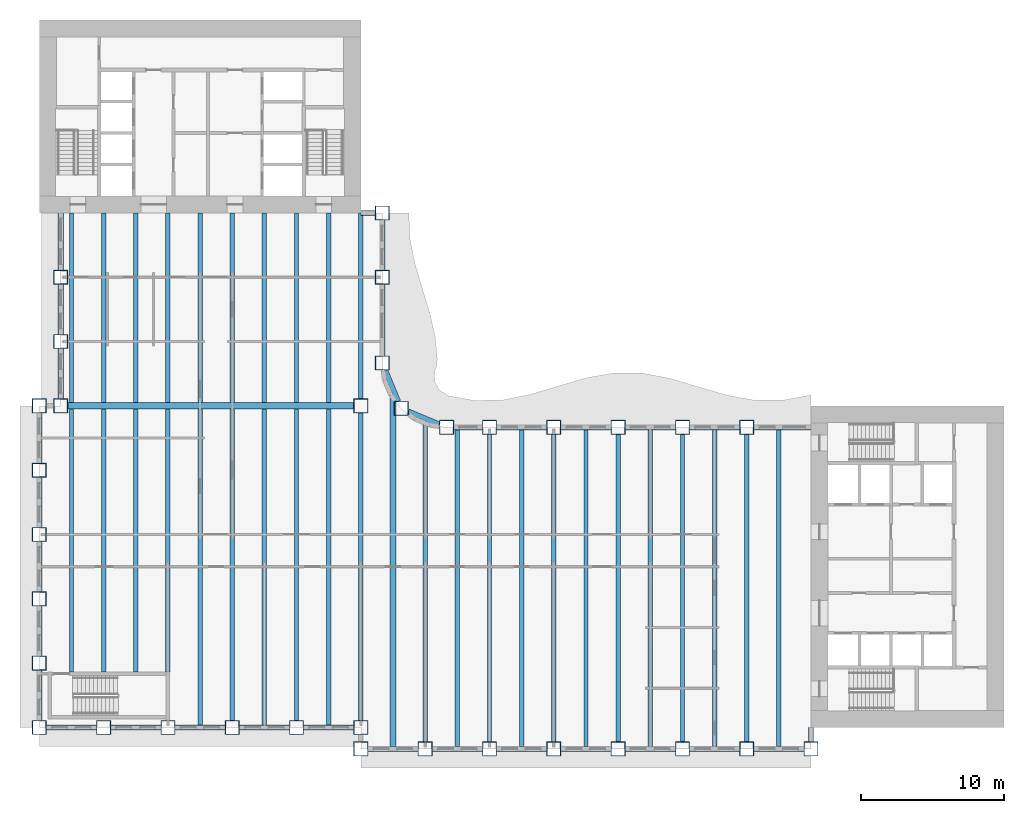
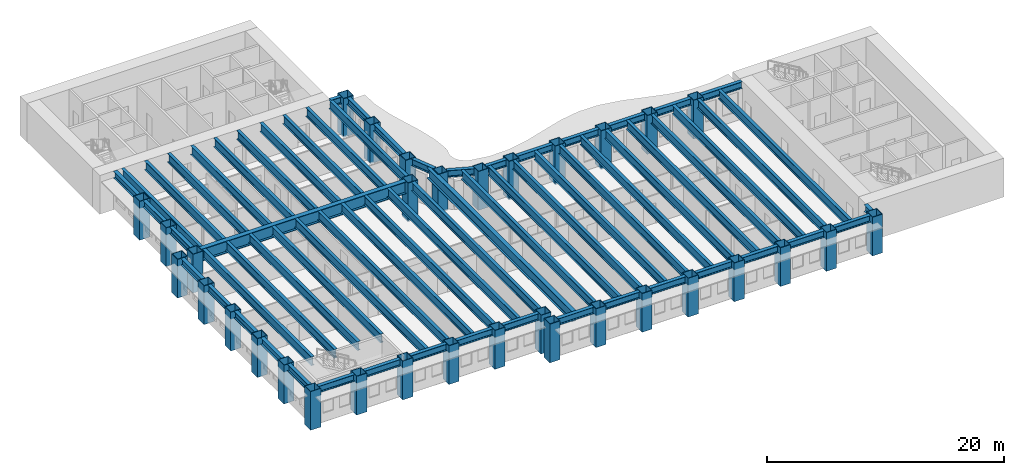
# One storey, part 1 of 16: 66 beams, 33 columns.
"""IFC4 building model written with IfcOpenShell, lengths in metres."""

from ifc_helpers import new_model, si_unit, direction, frame, origin, origin_2d, place, context, subcontext, project, spatial, hollow_rectangle, i_section, extrude, material, material_profile, profile_set, type_object, element, save


model = new_model("IFC4")

# Units and contexts
model_context = context("Model", 3, precision=1e-05, world=origin(), true_north=direction((0.0, 1.0)))
body_context = subcontext(model_context, "Body", "Model", "MODEL_VIEW")
ifc_project = project(units=[si_unit("LENGTHUNIT", "METRE"), si_unit("AREAUNIT", "SQUARE_METRE"), si_unit("VOLUMEUNIT", "CUBIC_METRE"), si_unit("PLANEANGLEUNIT", "RADIAN"), si_unit("MASSUNIT", "GRAM", prefix="KILO")], contexts=[model_context])

# Site, building, storey
site_placement = place(None, origin())
site = spatial("IfcSite", under=ifc_project, at=site_placement, CompositionType="ELEMENT")
building_placement = place(site_placement, origin())
building = spatial("IfcBuilding", under=site, at=building_placement, Name="Sennacour Bend Tower", CompositionType="ELEMENT")
storey_placement = place(building_placement, frame((0.0, 0.0, 83.0)))
storey = spatial("IfcBuildingStorey", under=building, at=storey_placement, Name="L18", CompositionType="ELEMENT", Elevation=83.0)

# Columns
ifc_material_1 = material(Name="Steel ASTM A572 Grade 50", Category="steel")
ifc_material_profile_1 = material_profile(ifc_material_1, hollow_rectangle(XDim=1.0, YDim=1.0, WallThickness=0.050048828125, at=origin_2d()), Name="Steel ASTM A572 Grade 50", Category="steel")
ifc_profile_set_1 = profile_set([ifc_material_profile_1], Name="Steel ASTM A572 Grade 50")
column_type = type_object("IfcColumnType", Name="Box column 1000", PredefinedType="COLUMN", material=ifc_profile_set_1)
for number, where, z_axis, x_axis, name in (
    (1, (0.0, 0.0, -0.14990234375), (0.0, 0.0, 1.0), (1.0, 0.0, 0.0), "Perimeter column C2 L18-001"),
    (2, (0.0, 4.5, -0.14990234375), (0.0, 0.0, 1.0), (1.0, 0.0, 0.0), "Perimeter column C2 L18-002"),
    (3, (0.0, 9.0, -0.14990234375), (0.0, 0.0, 1.0), (1.0, 0.0, 0.0), "Perimeter column C2 L18-003"),
    (4, (0.0, 13.5, -0.14990234375), (0.0, 0.0, 1.0), (1.0, 0.0, 0.0), "Perimeter column C2 L18-004"),
    (5, (0.0, 18.0, -0.14990234375), (0.0, 0.0, 1.0), (1.0, 0.0, 0.0), "Perimeter column C2 L18-005"),
    (6, (0.0, 22.5, -0.14990234375), (0.0, 0.0, 1.0), (1.0, 0.0, 0.0), "Perimeter column C2 L18-006"),
    (7, (1.5, 22.5, -0.14990234375), (0.0, 0.0, 1.0), (1.0, 0.0, 0.0), "Perimeter column C2 L18-007"),
    (8, (1.5, 27.0, -0.14990234375), (0.0, 0.0, 1.0), (1.0, 0.0, 0.0), "Perimeter column C2 L18-008"),
    (9, (1.5, 31.5, -0.14990234375), (0.0, 0.0, 1.0), (1.0, 0.0, 0.0), "Perimeter column C2 L18-009"),
    (10, (4.5, 0.0, -0.14990234375), (0.0, 0.0, 1.0), (1.0, 0.0, 0.0), "Perimeter column C2 L18-010"),
    (11, (9.0, 0.0, -0.14990234375), (0.0, 0.0, 1.0), (1.0, 0.0, 0.0), "Perimeter column C2 L18-011"),
    (12, (13.5, 0.0, -0.14990234375), (0.0, 0.0, 1.0), (1.0, 0.0, 0.0), "Perimeter column C2 L18-012"),
    (13, (18.0, 0.0, -0.14990234375), (0.0, 0.0, 1.0), (1.0, 0.0, 0.0), "Perimeter column C2 L18-013"),
    (14, (22.5, -1.5, -0.14990234375), (0.0, 0.0, 1.0), (1.0, 0.0, 0.0), "Perimeter column C2 L18-014"),
    (15, (22.5, 0.0, -0.14990234375), (0.0, 0.0, 1.0), (1.0, 0.0, 0.0), "Perimeter column C2 L18-015"),
    (16, (22.5, 22.5, -0.14990234375), (0.0, 0.0, 1.0), (1.0, 0.0, 0.0), "Knuckle column C2 L18-016"),
    (17, (24.0, 25.5, -0.14990234375), (0.0, 0.0, 1.0), (1.0, 0.0, 0.0), "Perimeter column C2 L18-017"),
    (18, (24.0, 31.5, -0.14990234375), (0.0, 0.0, 1.0), (1.0, 0.0, 0.0), "Perimeter column C2 L18-018"),
    (19, (24.0, 36.0, -0.14990234375), (0.0, 0.0, 1.0), (1.0, 0.0, 0.0), "Perimeter column C2 L18-019"),
    (20, (25.318115234375, 22.318115234375, -0.14990234375), (0.0, 0.0, 1.0), (1.0, 0.0, 0.0), "Perimeter column C2 L18-020"),
    (21, (27.0, -1.5, -0.14990234375), (0.0, 0.0, 1.0), (1.0, 0.0, 0.0), "Perimeter column C2 L18-021"),
    (22, (28.5, 21.0, -0.14990234375), (0.0, 0.0, 1.0), (1.0, 0.0, 0.0), "Perimeter column C2 L18-022"),
    (23, (31.5, -1.5, -0.14990234375), (0.0, 0.0, 1.0), (1.0, 0.0, 0.0), "Perimeter column C2 L18-023"),
    (24, (31.5, 21.0, -0.14990234375), (0.0, 0.0, 1.0), (1.0, 0.0, 0.0), "Perimeter column C2 L18-024"),
    (25, (36.0, -1.5, -0.14990234375), (0.0, 0.0, 1.0), (1.0, 0.0, 0.0), "Perimeter column C2 L18-025"),
    (26, (36.0, 21.0, -0.14990234375), (0.0, 0.0, 1.0), (1.0, 0.0, 0.0), "Perimeter column C2 L18-026"),
    (27, (40.5, -1.5, -0.14990234375), (0.0, 0.0, 1.0), (1.0, 0.0, 0.0), "Perimeter column C2 L18-027"),
    (28, (40.5, 21.0, -0.14990234375), (0.0, 0.0, 1.0), (1.0, 0.0, 0.0), "Perimeter column C2 L18-028"),
    (29, (45.0, -1.5, -0.14990234375), (0.0, 0.0, 1.0), (1.0, 0.0, 0.0), "Perimeter column C2 L18-029"),
    (30, (45.0, 21.0, -0.14990234375), (0.0, 0.0, 1.0), (1.0, 0.0, 0.0), "Perimeter column C2 L18-030"),
    (31, (49.5, -1.5, -0.14990234375), (0.0, 0.0, 1.0), (1.0, 0.0, 0.0), "Perimeter column C2 L18-031"),
    (32, (49.5, 21.0, -0.14990234375), (0.0, 0.0, 1.0), (1.0, 0.0, 0.0), "Perimeter column C2 L18-032"),
    (33, (54.0, -1.5, -0.14990234375), (0.0, 0.0, 1.0), (1.0, 0.0, 0.0), "Perimeter column C2 L18-033"),
):
    element("IfcColumn", number, at=place(storey_placement, frame(where, z_axis=z_axis, x_axis=x_axis)), inside=storey, type_object=column_type, Name=name, PredefinedType="COLUMN", context=body_context, shape_type="SweptSolid", body=[
        extrude(hollow_rectangle(XDim=1.0, YDim=1.0, WallThickness=0.050048828125, at=origin_2d()), origin(), (0.0, 0.0, 1.0), 4.0),
    ])

# Beams
ifc_material_2 = material(Name="Steel ASTM A992 Grade 50", Category="steel")
ifc_material_profile_2 = material_profile(ifc_material_2, i_section(OverallWidth=0.304931640625, OverallDepth=0.912109375, WebThickness=0.015869140625, FlangeThickness=0.02392578125, FilletRadius=0.01904296875, at=origin_2d()), Name="Steel ASTM A992 Grade 50", Category="steel")
ifc_profile_set_2 = profile_set([ifc_material_profile_2], Name="Steel ASTM A992 Grade 50")
beam_type_1 = type_object("IfcBeamType", Name="Floor beam W920X223", PredefinedType="BEAM", material=ifc_profile_set_2)
beam_1_placement = place(storey_placement, frame((2.25, 3.875, 3.39404296875), z_axis=(0.0, 1.0, 0.0), x_axis=(-1.0, 0.0, 0.0)))
element("IfcBeam", 34, at=beam_1_placement, inside=storey, type_object=beam_type_1, Name="Floor beam FBM1 L19-001", PredefinedType="BEAM", context=body_context, shape_type="SweptSolid", body=[
    extrude(i_section(OverallWidth=0.304931640625, OverallDepth=0.912109375, WebThickness=0.015869140625, FlangeThickness=0.02392578125, FilletRadius=0.01904296875, at=origin_2d()), origin(), (0.0, 0.0, 1.0), 18.39990234375),
])
beam_2_placement = place(storey_placement, frame((2.25, 22.72509765625, 3.39404296875), z_axis=(0.0, 1.0, 0.0), x_axis=(-1.0, 0.0, 0.0)))
element("IfcBeam", 35, at=beam_2_placement, inside=storey, type_object=beam_type_1, Name="Floor beam FBM1 L19-002", PredefinedType="BEAM", context=body_context, shape_type="SweptSolid", body=[
    extrude(i_section(OverallWidth=0.304931640625, OverallDepth=0.912109375, WebThickness=0.015869140625, FlangeThickness=0.02392578125, FilletRadius=0.01904296875, at=origin_2d()), origin(), (0.0, 0.0, 1.0), 13.27490234375),
])
beam_3_placement = place(storey_placement, frame((4.5, 3.875, 3.39404296875), z_axis=(0.0, 1.0, 0.0), x_axis=(-1.0, 0.0, 0.0)))
element("IfcBeam", 36, at=beam_3_placement, inside=storey, type_object=beam_type_1, Name="Floor beam FBM1 L19-003", PredefinedType="BEAM", context=body_context, shape_type="SweptSolid", body=[
    extrude(i_section(OverallWidth=0.304931640625, OverallDepth=0.912109375, WebThickness=0.015869140625, FlangeThickness=0.02392578125, FilletRadius=0.01904296875, at=origin_2d()), origin(), (0.0, 0.0, 1.0), 18.39990234375),
])
beam_4_placement = place(storey_placement, frame((4.5, 22.72509765625, 3.39404296875), z_axis=(0.0, 1.0, 0.0), x_axis=(-1.0, 0.0, 0.0)))
element("IfcBeam", 37, at=beam_4_placement, inside=storey, type_object=beam_type_1, Name="Floor beam FBM1 L19-004", PredefinedType="BEAM", context=body_context, shape_type="SweptSolid", body=[
    extrude(i_section(OverallWidth=0.304931640625, OverallDepth=0.912109375, WebThickness=0.015869140625, FlangeThickness=0.02392578125, FilletRadius=0.01904296875, at=origin_2d()), origin(), (0.0, 0.0, 1.0), 13.27490234375),
])
beam_5_placement = place(storey_placement, frame((6.75, 3.875, 3.39404296875), z_axis=(0.0, 1.0, 0.0), x_axis=(-1.0, 0.0, 0.0)))
element("IfcBeam", 38, at=beam_5_placement, inside=storey, type_object=beam_type_1, Name="Floor beam FBM1 L19-005", PredefinedType="BEAM", context=body_context, shape_type="SweptSolid", body=[
    extrude(i_section(OverallWidth=0.304931640625, OverallDepth=0.912109375, WebThickness=0.015869140625, FlangeThickness=0.02392578125, FilletRadius=0.01904296875, at=origin_2d()), origin(), (0.0, 0.0, 1.0), 18.39990234375),
])
beam_6_placement = place(storey_placement, frame((6.75, 22.72509765625, 3.39404296875), z_axis=(0.0, 1.0, 0.0), x_axis=(-1.0, 0.0, 0.0)))
element("IfcBeam", 39, at=beam_6_placement, inside=storey, type_object=beam_type_1, Name="Floor beam FBM1 L19-006", PredefinedType="BEAM", context=body_context, shape_type="SweptSolid", body=[
    extrude(i_section(OverallWidth=0.304931640625, OverallDepth=0.912109375, WebThickness=0.015869140625, FlangeThickness=0.02392578125, FilletRadius=0.01904296875, at=origin_2d()), origin(), (0.0, 0.0, 1.0), 13.27490234375),
])
beam_7_placement = place(storey_placement, frame((9.0, 3.875, 3.39404296875), z_axis=(0.0, 1.0, 0.0), x_axis=(-1.0, 0.0, 0.0)))
element("IfcBeam", 40, at=beam_7_placement, inside=storey, type_object=beam_type_1, Name="Floor beam FBM1 L19-007", PredefinedType="BEAM", context=body_context, shape_type="SweptSolid", body=[
    extrude(i_section(OverallWidth=0.304931640625, OverallDepth=0.912109375, WebThickness=0.015869140625, FlangeThickness=0.02392578125, FilletRadius=0.01904296875, at=origin_2d()), origin(), (0.0, 0.0, 1.0), 18.39990234375),
])
beam_8_placement = place(storey_placement, frame((9.0, 22.72509765625, 3.39404296875), z_axis=(0.0, 1.0, 0.0), x_axis=(-1.0, 0.0, 0.0)))
element("IfcBeam", 41, at=beam_8_placement, inside=storey, type_object=beam_type_1, Name="Floor beam FBM1 L19-008", PredefinedType="BEAM", context=body_context, shape_type="SweptSolid", body=[
    extrude(i_section(OverallWidth=0.304931640625, OverallDepth=0.912109375, WebThickness=0.015869140625, FlangeThickness=0.02392578125, FilletRadius=0.01904296875, at=origin_2d()), origin(), (0.0, 0.0, 1.0), 13.27490234375),
])
beam_9_placement = place(storey_placement, frame((11.25, 0.177978515625, 3.39404296875), z_axis=(0.0, 1.0, 0.0), x_axis=(-1.0, 0.0, 0.0)))
element("IfcBeam", 42, at=beam_9_placement, inside=storey, type_object=beam_type_1, Name="Floor beam FBM1 L19-009", PredefinedType="BEAM", context=body_context, shape_type="SweptSolid", body=[
    extrude(i_section(OverallWidth=0.304931640625, OverallDepth=0.912109375, WebThickness=0.015869140625, FlangeThickness=0.02392578125, FilletRadius=0.01904296875, at=origin_2d()), origin(), (0.0, 0.0, 1.0), 22.096923828125),
])
beam_10_placement = place(storey_placement, frame((11.25, 22.72509765625, 3.39404296875), z_axis=(0.0, 1.0, 0.0), x_axis=(-1.0, 0.0, 0.0)))
element("IfcBeam", 43, at=beam_10_placement, inside=storey, type_object=beam_type_1, Name="Floor beam FBM1 L19-010", PredefinedType="BEAM", context=body_context, shape_type="SweptSolid", body=[
    extrude(i_section(OverallWidth=0.304931640625, OverallDepth=0.912109375, WebThickness=0.015869140625, FlangeThickness=0.02392578125, FilletRadius=0.01904296875, at=origin_2d()), origin(), (0.0, 0.0, 1.0), 13.27490234375),
])
beam_11_placement = place(storey_placement, frame((13.5, 0.5, 3.39404296875), z_axis=(0.0, 1.0, 0.0), x_axis=(-1.0, 0.0, 0.0)))
element("IfcBeam", 44, at=beam_11_placement, inside=storey, type_object=beam_type_1, Name="Floor beam FBM1 L19-011", PredefinedType="BEAM", context=body_context, shape_type="SweptSolid", body=[
    extrude(i_section(OverallWidth=0.304931640625, OverallDepth=0.912109375, WebThickness=0.015869140625, FlangeThickness=0.02392578125, FilletRadius=0.01904296875, at=origin_2d()), origin(), (0.0, 0.0, 1.0), 21.77490234375),
])
beam_12_placement = place(storey_placement, frame((13.5, 22.72509765625, 3.39404296875), z_axis=(0.0, 1.0, 0.0), x_axis=(-1.0, 0.0, 0.0)))
element("IfcBeam", 45, at=beam_12_placement, inside=storey, type_object=beam_type_1, Name="Floor beam FBM1 L19-012", PredefinedType="BEAM", context=body_context, shape_type="SweptSolid", body=[
    extrude(i_section(OverallWidth=0.304931640625, OverallDepth=0.912109375, WebThickness=0.015869140625, FlangeThickness=0.02392578125, FilletRadius=0.01904296875, at=origin_2d()), origin(), (0.0, 0.0, 1.0), 13.27490234375),
])
beam_13_placement = place(storey_placement, frame((15.75, 0.177978515625, 3.39404296875), z_axis=(0.0, 1.0, 0.0), x_axis=(-1.0, 0.0, 0.0)))
element("IfcBeam", 46, at=beam_13_placement, inside=storey, type_object=beam_type_1, Name="Floor beam FBM1 L19-013", PredefinedType="BEAM", context=body_context, shape_type="SweptSolid", body=[
    extrude(i_section(OverallWidth=0.304931640625, OverallDepth=0.912109375, WebThickness=0.015869140625, FlangeThickness=0.02392578125, FilletRadius=0.01904296875, at=origin_2d()), origin(), (0.0, 0.0, 1.0), 22.096923828125),
])
beam_14_placement = place(storey_placement, frame((15.75, 22.72509765625, 3.39404296875), z_axis=(0.0, 1.0, 0.0), x_axis=(-1.0, 0.0, 0.0)))
element("IfcBeam", 47, at=beam_14_placement, inside=storey, type_object=beam_type_1, Name="Floor beam FBM1 L19-014", PredefinedType="BEAM", context=body_context, shape_type="SweptSolid", body=[
    extrude(i_section(OverallWidth=0.304931640625, OverallDepth=0.912109375, WebThickness=0.015869140625, FlangeThickness=0.02392578125, FilletRadius=0.01904296875, at=origin_2d()), origin(), (0.0, 0.0, 1.0), 13.27490234375),
])
beam_15_placement = place(storey_placement, frame((18.0, 0.5, 3.39404296875), z_axis=(0.0, 1.0, 0.0), x_axis=(-1.0, 0.0, 0.0)))
element("IfcBeam", 48, at=beam_15_placement, inside=storey, type_object=beam_type_1, Name="Floor beam FBM1 L19-015", PredefinedType="BEAM", context=body_context, shape_type="SweptSolid", body=[
    extrude(i_section(OverallWidth=0.304931640625, OverallDepth=0.912109375, WebThickness=0.015869140625, FlangeThickness=0.02392578125, FilletRadius=0.01904296875, at=origin_2d()), origin(), (0.0, 0.0, 1.0), 21.77490234375),
])
beam_16_placement = place(storey_placement, frame((18.0, 22.72509765625, 3.39404296875), z_axis=(0.0, 1.0, 0.0), x_axis=(-1.0, 0.0, 0.0)))
element("IfcBeam", 49, at=beam_16_placement, inside=storey, type_object=beam_type_1, Name="Floor beam FBM1 L19-016", PredefinedType="BEAM", context=body_context, shape_type="SweptSolid", body=[
    extrude(i_section(OverallWidth=0.304931640625, OverallDepth=0.912109375, WebThickness=0.015869140625, FlangeThickness=0.02392578125, FilletRadius=0.01904296875, at=origin_2d()), origin(), (0.0, 0.0, 1.0), 13.27490234375),
])
beam_17_placement = place(storey_placement, frame((20.25, 0.177978515625, 3.39404296875), z_axis=(0.0, 1.0, 0.0), x_axis=(-1.0, 0.0, 0.0)))
element("IfcBeam", 50, at=beam_17_placement, inside=storey, type_object=beam_type_1, Name="Floor beam FBM1 L19-017", PredefinedType="BEAM", context=body_context, shape_type="SweptSolid", body=[
    extrude(i_section(OverallWidth=0.304931640625, OverallDepth=0.912109375, WebThickness=0.015869140625, FlangeThickness=0.02392578125, FilletRadius=0.01904296875, at=origin_2d()), origin(), (0.0, 0.0, 1.0), 22.096923828125),
])
beam_18_placement = place(storey_placement, frame((20.25, 22.72509765625, 3.39404296875), z_axis=(0.0, 1.0, 0.0), x_axis=(-1.0, 0.0, 0.0)))
element("IfcBeam", 51, at=beam_18_placement, inside=storey, type_object=beam_type_1, Name="Floor beam FBM1 L19-018", PredefinedType="BEAM", context=body_context, shape_type="SweptSolid", body=[
    extrude(i_section(OverallWidth=0.304931640625, OverallDepth=0.912109375, WebThickness=0.015869140625, FlangeThickness=0.02392578125, FilletRadius=0.01904296875, at=origin_2d()), origin(), (0.0, 0.0, 1.0), 13.27490234375),
])
beam_19_placement = place(storey_placement, frame((22.5, 0.5, 3.39404296875), z_axis=(0.0, 1.0, 0.0), x_axis=(-1.0, 0.0, 0.0)))
element("IfcBeam", 52, at=beam_19_placement, inside=storey, type_object=beam_type_1, Name="Floor beam FBM1 L19-019", PredefinedType="BEAM", context=body_context, shape_type="SweptSolid", body=[
    extrude(i_section(OverallWidth=0.304931640625, OverallDepth=0.912109375, WebThickness=0.015869140625, FlangeThickness=0.02392578125, FilletRadius=0.01904296875, at=origin_2d()), origin(), (0.0, 0.0, 1.0), 21.5),
])
beam_20_placement = place(storey_placement, frame((22.5, 23.0, 3.39404296875), z_axis=(0.0, 1.0, 0.0), x_axis=(-1.0, 0.0, 0.0)))
element("IfcBeam", 53, at=beam_20_placement, inside=storey, type_object=beam_type_1, Name="Floor beam FBM1 L19-020", PredefinedType="BEAM", context=body_context, shape_type="SweptSolid", body=[
    extrude(i_section(OverallWidth=0.304931640625, OverallDepth=0.912109375, WebThickness=0.015869140625, FlangeThickness=0.02392578125, FilletRadius=0.01904296875, at=origin_2d()), origin(), (0.0, 0.0, 1.0), 13.0),
])
beam_21_placement = place(storey_placement, frame((27.0, -1.0, 3.39404296875), z_axis=(0.0, 1.0, 0.0), x_axis=(-1.0, 0.0, 0.0)))
element("IfcBeam", 54, at=beam_21_placement, inside=storey, type_object=beam_type_1, Name="Floor beam FBM1 L19-022", PredefinedType="BEAM", context=body_context, shape_type="SweptSolid", body=[
    extrude(i_section(OverallWidth=0.304931640625, OverallDepth=0.912109375, WebThickness=0.015869140625, FlangeThickness=0.02392578125, FilletRadius=0.01904296875, at=origin_2d()), origin(), (0.0, 0.0, 1.0), 22.4287109375),
])
beam_22_placement = place(storey_placement, frame((29.25, -1.322021484375, 3.39404296875), z_axis=(0.0, 1.0, 0.0), x_axis=(-1.0, 0.0, 0.0)))
element("IfcBeam", 55, at=beam_22_placement, inside=storey, type_object=beam_type_1, Name="Floor beam FBM1 L19-023", PredefinedType="BEAM", context=body_context, shape_type="SweptSolid", body=[
    extrude(i_section(OverallWidth=0.304931640625, OverallDepth=0.912109375, WebThickness=0.015869140625, FlangeThickness=0.02392578125, FilletRadius=0.01904296875, at=origin_2d()), origin(), (0.0, 0.0, 1.0), 22.14404296875),
])
beam_23_placement = place(storey_placement, frame((31.5, -1.0, 3.39404296875), z_axis=(0.0, 1.0, 0.0), x_axis=(-1.0, 0.0, 0.0)))
element("IfcBeam", 56, at=beam_23_placement, inside=storey, type_object=beam_type_1, Name="Floor beam FBM1 L19-024", PredefinedType="BEAM", context=body_context, shape_type="SweptSolid", body=[
    extrude(i_section(OverallWidth=0.304931640625, OverallDepth=0.912109375, WebThickness=0.015869140625, FlangeThickness=0.02392578125, FilletRadius=0.01904296875, at=origin_2d()), origin(), (0.0, 0.0, 1.0), 21.5),
])
beam_24_placement = place(storey_placement, frame((33.75, -1.322021484375, 3.39404296875), z_axis=(0.0, 1.0, 0.0), x_axis=(-1.0, 0.0, 0.0)))
element("IfcBeam", 57, at=beam_24_placement, inside=storey, type_object=beam_type_1, Name="Floor beam FBM1 L19-025", PredefinedType="BEAM", context=body_context, shape_type="SweptSolid", body=[
    extrude(i_section(OverallWidth=0.304931640625, OverallDepth=0.912109375, WebThickness=0.015869140625, FlangeThickness=0.02392578125, FilletRadius=0.01904296875, at=origin_2d()), origin(), (0.0, 0.0, 1.0), 22.14404296875),
])
beam_25_placement = place(storey_placement, frame((36.0, -1.0, 3.39404296875), z_axis=(0.0, 1.0, 0.0), x_axis=(-1.0, 0.0, 0.0)))
element("IfcBeam", 58, at=beam_25_placement, inside=storey, type_object=beam_type_1, Name="Floor beam FBM1 L19-026", PredefinedType="BEAM", context=body_context, shape_type="SweptSolid", body=[
    extrude(i_section(OverallWidth=0.304931640625, OverallDepth=0.912109375, WebThickness=0.015869140625, FlangeThickness=0.02392578125, FilletRadius=0.01904296875, at=origin_2d()), origin(), (0.0, 0.0, 1.0), 21.5),
])
beam_26_placement = place(storey_placement, frame((38.25, -1.322021484375, 3.39404296875), z_axis=(0.0, 1.0, 0.0), x_axis=(-1.0, 0.0, 0.0)))
element("IfcBeam", 59, at=beam_26_placement, inside=storey, type_object=beam_type_1, Name="Floor beam FBM1 L19-027", PredefinedType="BEAM", context=body_context, shape_type="SweptSolid", body=[
    extrude(i_section(OverallWidth=0.304931640625, OverallDepth=0.912109375, WebThickness=0.015869140625, FlangeThickness=0.02392578125, FilletRadius=0.01904296875, at=origin_2d()), origin(), (0.0, 0.0, 1.0), 22.14404296875),
])
beam_27_placement = place(storey_placement, frame((40.5, -1.0, 3.39404296875), z_axis=(0.0, 1.0, 0.0), x_axis=(-1.0, 0.0, 0.0)))
element("IfcBeam", 60, at=beam_27_placement, inside=storey, type_object=beam_type_1, Name="Floor beam FBM1 L19-028", PredefinedType="BEAM", context=body_context, shape_type="SweptSolid", body=[
    extrude(i_section(OverallWidth=0.304931640625, OverallDepth=0.912109375, WebThickness=0.015869140625, FlangeThickness=0.02392578125, FilletRadius=0.01904296875, at=origin_2d()), origin(), (0.0, 0.0, 1.0), 21.5),
])
beam_28_placement = place(storey_placement, frame((42.75, -1.322021484375, 3.39404296875), z_axis=(0.0, 1.0, 0.0), x_axis=(-1.0, 0.0, 0.0)))
element("IfcBeam", 61, at=beam_28_placement, inside=storey, type_object=beam_type_1, Name="Floor beam FBM1 L19-029", PredefinedType="BEAM", context=body_context, shape_type="SweptSolid", body=[
    extrude(i_section(OverallWidth=0.304931640625, OverallDepth=0.912109375, WebThickness=0.015869140625, FlangeThickness=0.02392578125, FilletRadius=0.01904296875, at=origin_2d()), origin(), (0.0, 0.0, 1.0), 22.14404296875),
])
beam_29_placement = place(storey_placement, frame((45.0, -1.0, 3.39404296875), z_axis=(0.0, 1.0, 0.0), x_axis=(-1.0, 0.0, 0.0)))
element("IfcBeam", 62, at=beam_29_placement, inside=storey, type_object=beam_type_1, Name="Floor beam FBM1 L19-030", PredefinedType="BEAM", context=body_context, shape_type="SweptSolid", body=[
    extrude(i_section(OverallWidth=0.304931640625, OverallDepth=0.912109375, WebThickness=0.015869140625, FlangeThickness=0.02392578125, FilletRadius=0.01904296875, at=origin_2d()), origin(), (0.0, 0.0, 1.0), 21.5),
])
beam_30_placement = place(storey_placement, frame((47.25, -1.322021484375, 3.39404296875), z_axis=(0.0, 1.0, 0.0), x_axis=(-1.0, 0.0, 0.0)))
element("IfcBeam", 63, at=beam_30_placement, inside=storey, type_object=beam_type_1, Name="Floor beam FBM1 L19-031", PredefinedType="BEAM", context=body_context, shape_type="SweptSolid", body=[
    extrude(i_section(OverallWidth=0.304931640625, OverallDepth=0.912109375, WebThickness=0.015869140625, FlangeThickness=0.02392578125, FilletRadius=0.01904296875, at=origin_2d()), origin(), (0.0, 0.0, 1.0), 22.14404296875),
])
beam_31_placement = place(storey_placement, frame((49.5, -1.0, 3.39404296875), z_axis=(0.0, 1.0, 0.0), x_axis=(-1.0, 0.0, 0.0)))
element("IfcBeam", 64, at=beam_31_placement, inside=storey, type_object=beam_type_1, Name="Floor beam FBM1 L19-032", PredefinedType="BEAM", context=body_context, shape_type="SweptSolid", body=[
    extrude(i_section(OverallWidth=0.304931640625, OverallDepth=0.912109375, WebThickness=0.015869140625, FlangeThickness=0.02392578125, FilletRadius=0.01904296875, at=origin_2d()), origin(), (0.0, 0.0, 1.0), 21.5),
])
beam_32_placement = place(storey_placement, frame((51.75, -1.322021484375, 3.39404296875), z_axis=(0.0, 1.0, 0.0), x_axis=(-1.0, 0.0, 0.0)))
element("IfcBeam", 65, at=beam_32_placement, inside=storey, type_object=beam_type_1, Name="Floor beam FBM1 L19-033", PredefinedType="BEAM", context=body_context, shape_type="SweptSolid", body=[
    extrude(i_section(OverallWidth=0.304931640625, OverallDepth=0.912109375, WebThickness=0.015869140625, FlangeThickness=0.02392578125, FilletRadius=0.01904296875, at=origin_2d()), origin(), (0.0, 0.0, 1.0), 22.14404296875),
])
ifc_material_profile_3 = material_profile(ifc_material_1, i_section(OverallWidth=0.449951171875, OverallDepth=1.25, WebThickness=0.028076171875, FlangeThickness=0.050048828125, at=origin_2d()), Name="Steel ASTM A572 Grade 50", Category="steel")
ifc_profile_set_3 = profile_set([ifc_material_profile_3], Name="Steel ASTM A572 Grade 50")
beam_type_2 = type_object("IfcBeamType", Name="Knuckle girder 1250", PredefinedType="USERDEFINED", material=ifc_profile_set_3)
beam_33_placement = place(storey_placement, frame((2.0, 22.5, 3.22509765625), z_axis=(1.0, 0.0, 0.0), x_axis=(0.0, 1.0, 0.0)))
element("IfcBeam", 66, at=beam_33_placement, inside=storey, type_object=beam_type_2, Name="Knuckle girder GK L19-001", ObjectType="KNUCKLE GIRDER", PredefinedType="USERDEFINED", context=body_context, shape_type="SweptSolid", body=[
    extrude(i_section(OverallWidth=0.449951171875, OverallDepth=1.25, WebThickness=0.028076171875, FlangeThickness=0.050048828125, at=origin_2d()), origin(), (0.0, 0.0, 1.0), 20.0),
])
ifc_material_profile_4 = material_profile(ifc_material_2, i_section(OverallWidth=0.40087890625, OverallDepth=1.090087890625, WebThickness=0.01806640625, FlangeThickness=0.031005859375, FilletRadius=0.02001953125, at=origin_2d()), Name="Steel ASTM A992 Grade 50", Category="steel")
ifc_profile_set_4 = profile_set([ifc_material_profile_4], Name="Steel ASTM A992 Grade 50")
beam_type_3 = type_object("IfcBeamType", Name="Notch floor beam W1100X343", PredefinedType="BEAM", material=ifc_profile_set_4)
beam_34_placement = place(storey_placement, frame((24.75, -1.322021484375, 3.304931640625), z_axis=(0.0, 1.0, 0.0), x_axis=(-1.0, 0.0, 0.0)))
element("IfcBeam", 67, at=beam_34_placement, inside=storey, type_object=beam_type_3, Name="Floor beam FBM4 L19-021", PredefinedType="BEAM", context=body_context, shape_type="SweptSolid", body=[
    extrude(i_section(OverallWidth=0.40087890625, OverallDepth=1.090087890625, WebThickness=0.01806640625, FlangeThickness=0.031005859375, FilletRadius=0.02001953125, at=origin_2d()), origin(), (0.0, 0.0, 1.0), 24.546142578125),
])
ifc_material_profile_5 = material_profile(ifc_material_2, i_section(OverallWidth=0.35595703125, OverallDepth=0.696044921875, WebThickness=0.015380859375, FlangeThickness=0.02490234375, FilletRadius=0.02001953125, at=origin_2d()), Name="Steel ASTM A992 Grade 50", Category="steel")
ifc_profile_set_5 = profile_set([ifc_material_profile_5], Name="Steel ASTM A992 Grade 50")
beam_type_4 = type_object("IfcBeamType", Name="Spandrel beam W690X217", PredefinedType="SPANDREL", material=ifc_profile_set_5)
for number, where, z_axis, x_axis, name in (
    (68, (22.0, 0.0, 3.501953125), (-1.0, 0.0, 0.0), (0.0, -1.0, 0.0), "Spandrel beam SP3 L19-001"),
    (69, (17.5, 0.0, 3.501953125), (-1.0, 0.0, 0.0), (0.0, -1.0, 0.0), "Spandrel beam SP3 L19-002"),
    (70, (13.0, 0.0, 3.501953125), (-1.0, 0.0, 0.0), (0.0, -1.0, 0.0), "Spandrel beam SP3 L19-003"),
    (71, (8.5, 0.0, 3.501953125), (-1.0, 0.0, 0.0), (0.0, -1.0, 0.0), "Spandrel beam SP3 L19-004"),
    (72, (4.0, 0.0, 3.501953125), (-1.0, 0.0, 0.0), (0.0, -1.0, 0.0), "Spandrel beam SP3 L19-005"),
    (73, (0.0, 0.5, 3.501953125), (0.0, 1.0, 0.0), (-1.0, 0.0, 0.0), "Spandrel beam SP3 L19-006"),
    (74, (0.0, 5.0, 3.501953125), (0.0, 1.0, 0.0), (-1.0, 0.0, 0.0), "Spandrel beam SP3 L19-007"),
    (75, (0.0, 9.5, 3.501953125), (0.0, 1.0, 0.0), (-1.0, 0.0, 0.0), "Spandrel beam SP3 L19-008"),
    (76, (0.0, 14.0, 3.501953125), (0.0, 1.0, 0.0), (-1.0, 0.0, 0.0), "Spandrel beam SP3 L19-009"),
    (77, (0.0, 18.5, 3.501953125), (0.0, 1.0, 0.0), (-1.0, 0.0, 0.0), "Spandrel beam SP3 L19-010"),
    (78, (1.5, 23.0, 3.501953125), (0.0, 1.0, 0.0), (-1.0, 0.0, 0.0), "Spandrel beam SP3 L19-011"),
    (79, (1.5, 27.5, 3.501953125), (0.0, 1.0, 0.0), (-1.0, 0.0, 0.0), "Spandrel beam SP3 L19-012"),
):
    element("IfcBeam", number, at=place(storey_placement, frame(where, z_axis=z_axis, x_axis=x_axis)), inside=storey, type_object=beam_type_4, Name=name, PredefinedType="SPANDREL", context=body_context, shape_type="SweptSolid", body=[
        extrude(i_section(OverallWidth=0.35595703125, OverallDepth=0.696044921875, WebThickness=0.015380859375, FlangeThickness=0.02490234375, FilletRadius=0.02001953125, at=origin_2d()), origin(), (0.0, 0.0, 1.0), 3.5),
    ])
beam_35_placement = place(storey_placement, frame((1.5, 32.0, 3.501953125), z_axis=(0.0, 1.0, 0.0), x_axis=(-1.0, 0.0, 0.0)))
element("IfcBeam", 80, at=beam_35_placement, inside=storey, type_object=beam_type_4, Name="Spandrel beam SP3 L19-013", PredefinedType="SPANDREL", context=body_context, shape_type="SweptSolid", body=[
    extrude(i_section(OverallWidth=0.35595703125, OverallDepth=0.696044921875, WebThickness=0.015380859375, FlangeThickness=0.02490234375, FilletRadius=0.02001953125, at=origin_2d()), origin(), (0.0, 0.0, 1.0), 4.0),
])
beam_36_placement = place(storey_placement, frame((22.5, 36.0, 3.501953125), z_axis=(1.0, 0.0, 0.0), x_axis=(0.0, 1.0, 0.0)))
element("IfcBeam", 81, at=beam_36_placement, inside=storey, type_object=beam_type_4, Name="Spandrel beam SP3 L19-014", PredefinedType="SPANDREL", context=body_context, shape_type="SweptSolid", body=[
    extrude(i_section(OverallWidth=0.35595703125, OverallDepth=0.696044921875, WebThickness=0.015380859375, FlangeThickness=0.02490234375, FilletRadius=0.02001953125, at=origin_2d()), origin(), (0.0, 0.0, 1.0), 1.0),
])
beam_37_placement = place(storey_placement, frame((24.0, 35.5, 3.501953125), z_axis=(0.0, -1.0, 0.0), x_axis=(1.0, 0.0, 0.0)))
element("IfcBeam", 82, at=beam_37_placement, inside=storey, type_object=beam_type_4, Name="Spandrel beam SP3 L19-015", PredefinedType="SPANDREL", context=body_context, shape_type="SweptSolid", body=[
    extrude(i_section(OverallWidth=0.35595703125, OverallDepth=0.696044921875, WebThickness=0.015380859375, FlangeThickness=0.02490234375, FilletRadius=0.02001953125, at=origin_2d()), origin(), (0.0, 0.0, 1.0), 3.5),
])
beam_38_placement = place(storey_placement, frame((24.0, 31.0, 3.501953125), z_axis=(0.0, -1.0, 0.0), x_axis=(1.0, 0.0, 0.0)))
element("IfcBeam", 83, at=beam_38_placement, inside=storey, type_object=beam_type_4, Name="Spandrel beam SP3 L19-016", PredefinedType="SPANDREL", context=body_context, shape_type="SweptSolid", body=[
    extrude(i_section(OverallWidth=0.35595703125, OverallDepth=0.696044921875, WebThickness=0.015380859375, FlangeThickness=0.02490234375, FilletRadius=0.02001953125, at=origin_2d()), origin(), (0.0, 0.0, 1.0), 5.0),
])
for number, where, z_axis, x_axis, name in (
    (84, (24.20703125, 25.0, 3.501953125), (0.382698732017, -0.92387319504, 0.0), (0.92387319504, 0.382698732017, 0.0), "Spandrel beam SP3 L19-017"),
    (85, (25.818115234375, 22.11083984375, 3.501953125), (0.92387319504, -0.382698732017, 0.0), (0.382698732017, 0.92387319504, 0.0), "Spandrel beam SP3 L19-018"),
):
    element("IfcBeam", number, at=place(storey_placement, frame(where, z_axis=z_axis, x_axis=x_axis)), inside=storey, type_object=beam_type_4, Name=name, PredefinedType="SPANDREL", context=body_context, shape_type="SweptSolid", body=[
        extrude(i_section(OverallWidth=0.35595703125, OverallDepth=0.696044921875, WebThickness=0.015380859375, FlangeThickness=0.02490234375, FilletRadius=0.02001953125, at=origin_2d()), origin(), (0.0, 0.0, 1.0), 2.361572265625),
    ])
beam_39_placement = place(storey_placement, frame((29.0, 21.0, 3.501953125), z_axis=(1.0, 0.0, 0.0), x_axis=(0.0, 1.0, 0.0)))
element("IfcBeam", 86, at=beam_39_placement, inside=storey, type_object=beam_type_4, Name="Spandrel beam SP3 L19-019", PredefinedType="SPANDREL", context=body_context, shape_type="SweptSolid", body=[
    extrude(i_section(OverallWidth=0.35595703125, OverallDepth=0.696044921875, WebThickness=0.015380859375, FlangeThickness=0.02490234375, FilletRadius=0.02001953125, at=origin_2d()), origin(), (0.0, 0.0, 1.0), 2.0),
])
for number, where, z_axis, x_axis, name in (
    (87, (32.0, 21.0, 3.501953125), (1.0, 0.0, 0.0), (0.0, 1.0, 0.0), "Spandrel beam SP3 L19-020"),
    (88, (36.5, 21.0, 3.501953125), (1.0, 0.0, 0.0), (0.0, 1.0, 0.0), "Spandrel beam SP3 L19-021"),
    (89, (41.0, 21.0, 3.501953125), (1.0, 0.0, 0.0), (0.0, 1.0, 0.0), "Spandrel beam SP3 L19-022"),
    (90, (45.5, 21.0, 3.501953125), (1.0, 0.0, 0.0), (0.0, 1.0, 0.0), "Spandrel beam SP3 L19-023"),
):
    element("IfcBeam", number, at=place(storey_placement, frame(where, z_axis=z_axis, x_axis=x_axis)), inside=storey, type_object=beam_type_4, Name=name, PredefinedType="SPANDREL", context=body_context, shape_type="SweptSolid", body=[
        extrude(i_section(OverallWidth=0.35595703125, OverallDepth=0.696044921875, WebThickness=0.015380859375, FlangeThickness=0.02490234375, FilletRadius=0.02001953125, at=origin_2d()), origin(), (0.0, 0.0, 1.0), 3.5),
    ])
beam_40_placement = place(storey_placement, frame((50.0, 21.0, 3.501953125), z_axis=(1.0, 0.0, 0.0), x_axis=(0.0, 1.0, 0.0)))
element("IfcBeam", 91, at=beam_40_placement, inside=storey, type_object=beam_type_4, Name="Spandrel beam SP3 L19-024", PredefinedType="SPANDREL", context=body_context, shape_type="SweptSolid", body=[
    extrude(i_section(OverallWidth=0.35595703125, OverallDepth=0.696044921875, WebThickness=0.015380859375, FlangeThickness=0.02490234375, FilletRadius=0.02001953125, at=origin_2d()), origin(), (0.0, 0.0, 1.0), 4.0),
])
beam_41_placement = place(storey_placement, frame((54.0, 0.0, 3.501953125), z_axis=(0.0, -1.0, 0.0), x_axis=(1.0, 0.0, 0.0)))
element("IfcBeam", 92, at=beam_41_placement, inside=storey, type_object=beam_type_4, Name="Spandrel beam SP3 L19-025", PredefinedType="SPANDREL", context=body_context, shape_type="SweptSolid", body=[
    extrude(i_section(OverallWidth=0.35595703125, OverallDepth=0.696044921875, WebThickness=0.015380859375, FlangeThickness=0.02490234375, FilletRadius=0.02001953125, at=origin_2d()), origin(), (0.0, 0.0, 1.0), 1.0),
])
for number, where, z_axis, x_axis, name in (
    (93, (53.5, -1.5, 3.501953125), (-1.0, 0.0, 0.0), (0.0, -1.0, 0.0), "Spandrel beam SP3 L19-026"),
    (94, (49.0, -1.5, 3.501953125), (-1.0, 0.0, 0.0), (0.0, -1.0, 0.0), "Spandrel beam SP3 L19-027"),
    (95, (44.5, -1.5, 3.501953125), (-1.0, 0.0, 0.0), (0.0, -1.0, 0.0), "Spandrel beam SP3 L19-028"),
    (96, (40.0, -1.5, 3.501953125), (-1.0, 0.0, 0.0), (0.0, -1.0, 0.0), "Spandrel beam SP3 L19-029"),
    (97, (35.5, -1.5, 3.501953125), (-1.0, 0.0, 0.0), (0.0, -1.0, 0.0), "Spandrel beam SP3 L19-030"),
    (98, (31.0, -1.5, 3.501953125), (-1.0, 0.0, 0.0), (0.0, -1.0, 0.0), "Spandrel beam SP3 L19-031"),
    (99, (26.5, -1.5, 3.501953125), (-1.0, 0.0, 0.0), (0.0, -1.0, 0.0), "Spandrel beam SP3 L19-032"),
):
    element("IfcBeam", number, at=place(storey_placement, frame(where, z_axis=z_axis, x_axis=x_axis)), inside=storey, type_object=beam_type_4, Name=name, PredefinedType="SPANDREL", context=body_context, shape_type="SweptSolid", body=[
        extrude(i_section(OverallWidth=0.35595703125, OverallDepth=0.696044921875, WebThickness=0.015380859375, FlangeThickness=0.02490234375, FilletRadius=0.02001953125, at=origin_2d()), origin(), (0.0, 0.0, 1.0), 3.5),
    ])

save(model, "model.ifc")
